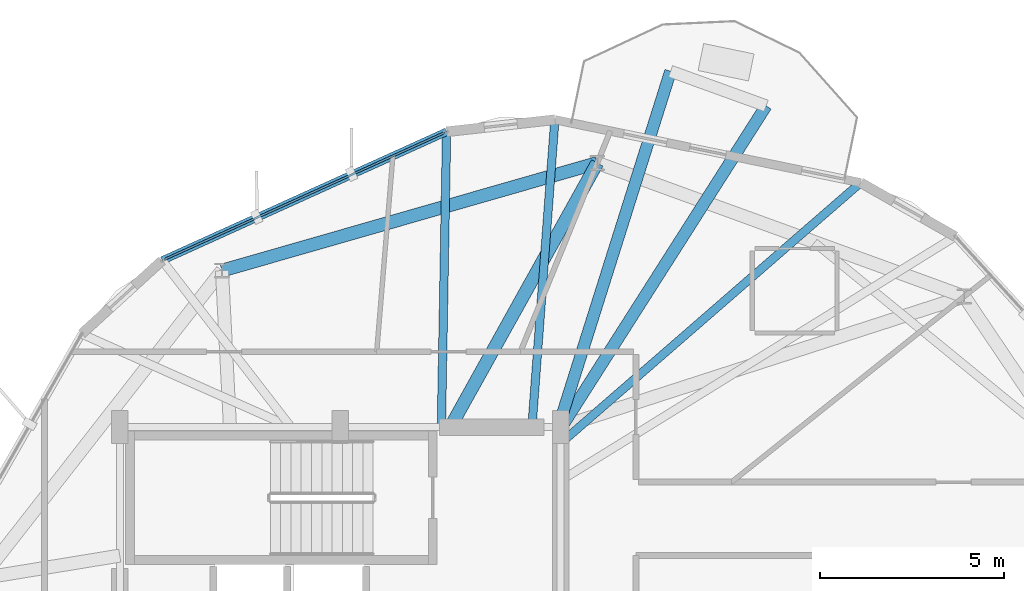
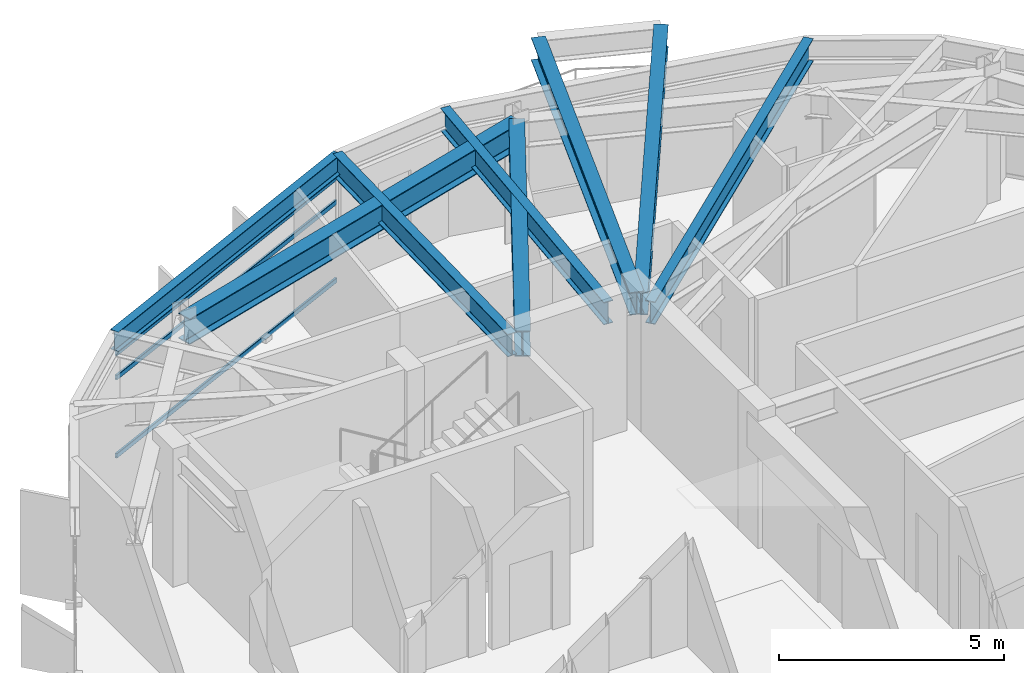
# One storey, part 14 of 23: 8 beams, 3 members, 1 element without a shape of its own.
"""IFC4 building model written with IfcOpenShell, lengths in metres."""

from ifc_helpers import new_model, si_unit, direction, frame, origin, origin_2d, place, context, subcontext, project, spatial, hollow_rectangle, i_section, extrude, material, layer, layer_set, material_profile, profile_set, type_object, element, aggregate, save


model = new_model("IFC4")

# Units and contexts
model_context = context("Model", 3, precision=1e-05, world=origin(), true_north=direction((0.0, 1.0)))
body_context = subcontext(model_context, "Body", "Model", "MODEL_VIEW")
ifc_project = project(units=[si_unit("LENGTHUNIT", "METRE"), si_unit("AREAUNIT", "SQUARE_METRE"), si_unit("VOLUMEUNIT", "CUBIC_METRE"), si_unit("PLANEANGLEUNIT", "RADIAN"), si_unit("MASSUNIT", "GRAM", prefix="KILO")], contexts=[model_context])

# Site, building, storey
site_placement = place(None, origin())
site = spatial("IfcSite", under=ifc_project, at=site_placement, CompositionType="ELEMENT")
building_placement = place(site_placement, origin())
building = spatial("IfcBuilding", under=site, at=building_placement, Name="Soratama Intermodal Tower", CompositionType="ELEMENT")
storey_placement = place(building_placement, frame((0.0, 0.0, 257.5)))
storey = spatial("IfcBuildingStorey", under=building, at=storey_placement, Name="L65", CompositionType="ELEMENT", Elevation=257.5)

# Beams
ifc_material_1 = material(Name="Structural steel ASTM A992 Grade 50", Category="steel")
ifc_material_profile_1 = material_profile(ifc_material_1, i_section(OverallWidth=0.324951171875, OverallDepth=0.615966796875, WebThickness=0.013916015625, FlangeThickness=0.021484375, FilletRadius=0.013916015625, at=origin_2d()), Name="W24X117")
ifc_profile_set_1 = profile_set([ifc_material_profile_1], Name="Structural steel ASTM A992 Grade 50")
beam_type_1 = type_object("IfcBeamType", Name="BM-CANT-W24X117", PredefinedType="BEAM", material=ifc_profile_set_1)
beam_1_placement = place(storey_placement, frame((44.62109375, 34.991943359375, 3.14208984375), z_axis=(0.537201208981, 0.843454125053, 0.0), x_axis=(-0.843454125053, 0.537201208981, 0.0)))
element("IfcBeam", 1, at=beam_1_placement, inside=storey, type_object=beam_type_1, Name="BM-L65-CANT-1-1", PredefinedType="BEAM", context=body_context, shape_type="SweptSolid", body=[
    extrude(i_section(OverallWidth=0.324951171875, OverallDepth=0.615966796875, WebThickness=0.013916015625, FlangeThickness=0.021484375, FilletRadius=0.013916015625, at=origin_2d()), origin(), (0.0, 0.0, 1.0), 10.377685546875),
])
beam_2_placement = place(storey_placement, frame((44.551025390625, 35.0380859375, 3.14208984375), z_axis=(0.300881888912, 0.953661412098, 0.0), x_axis=(-0.953661412098, 0.300881888912, 0.0)))
element("IfcBeam", 2, at=beam_2_placement, inside=storey, type_object=beam_type_1, Name="BM-L65-CANT-1-2", PredefinedType="BEAM", context=body_context, shape_type="SweptSolid", body=[
    extrude(i_section(OverallWidth=0.324951171875, OverallDepth=0.615966796875, WebThickness=0.013916015625, FlangeThickness=0.021484375, FilletRadius=0.013916015625, at=origin_2d()), origin(), (0.0, 0.0, 1.0), 10.11669921875),
])
ifc_material_2 = material(Name="Structural steel ASTM A992 Grade 50", Category="steel")
ifc_material_profile_2 = material_profile(ifc_material_2, i_section(OverallWidth=0.35498046875, OverallDepth=0.695068359375, WebThickness=0.015380859375, FlangeThickness=0.02490234375, FilletRadius=0.01611328125, at=origin_2d()), Name="W27X146")
ifc_profile_set_2 = profile_set([ifc_material_profile_2], Name="Structural steel ASTM A992 Grade 50")
beam_type_2 = type_object("IfcBeamType", Name="BM-RING-W27X146", PredefinedType="BEAM", material=ifc_profile_set_2)
beam_3_placement = place(storey_placement, frame((45.60009765625, 42.18994140625, 3.1025390625), z_axis=(-0.961238292127, -0.275718961532, 0.0), x_axis=(0.275718961532, -0.961238292127, 0.0)))
element("IfcBeam", 3, at=beam_3_placement, inside=storey, type_object=beam_type_2, Name="BM-L65-RING-03", PredefinedType="BEAM", context=body_context, shape_type="SweptSolid", body=[
    extrude(i_section(OverallWidth=0.35498046875, OverallDepth=0.695068359375, WebThickness=0.015380859375, FlangeThickness=0.02490234375, FilletRadius=0.01611328125, at=origin_2d()), origin(), (0.0, 0.0, 1.0), 10.630126953125),
])
beam_4_placement = place(storey_placement, frame((41.60009765625, 35.0, 3.1025390625), z_axis=(0.486161842523, 0.873868790423, 0.0), x_axis=(-0.873868790423, 0.486161842523, 0.0)))
element("IfcBeam", 4, at=beam_4_placement, inside=storey, type_object=beam_type_2, Name="BM-L65-RAD-03", PredefinedType="BEAM", context=body_context, shape_type="SweptSolid", body=[
    extrude(i_section(OverallWidth=0.35498046875, OverallDepth=0.695068359375, WebThickness=0.015380859375, FlangeThickness=0.02490234375, FilletRadius=0.01611328125, at=origin_2d()), origin(), (0.0, 0.0, 1.0), 8.227783203125),
])
ifc_material_3 = material(Name="Structural steel ASTM A992 Grade 50", Category="steel")
ifc_material_profile_3 = material_profile(ifc_material_3, i_section(OverallWidth=0.2099609375, OverallDepth=0.537109375, WebThickness=0.010986328125, FlangeThickness=0.017333984375, FilletRadius=0.012939453125, at=origin_2d()), Name="W21X68")
ifc_profile_set_3 = profile_set([ifc_material_profile_3], Name="Structural steel ASTM A992 Grade 50")
beam_type_3 = type_object("IfcBeamType", Name="BM-SPN-W21X68", PredefinedType="SPANDREL", material=ifc_profile_set_3)
beam_5_placement = place(storey_placement, frame((41.4970703125, 43.041015625, 3.181396484375), z_axis=(-0.910964565873, -0.412484617559, 0.0), x_axis=(0.412484617559, -0.910964565873, 0.0)))
element("IfcBeam", 5, at=beam_5_placement, inside=storey, type_object=beam_type_3, Name="BS-L65-F02", PredefinedType="SPANDREL", context=body_context, shape_type="SweptSolid", body=[
    extrude(i_section(OverallWidth=0.2099609375, OverallDepth=0.537109375, WebThickness=0.010986328125, FlangeThickness=0.017333984375, FilletRadius=0.012939453125, at=origin_2d()), origin(), (0.0, 0.0, 1.0), 8.5),
])
ifc_material_4 = material(Name="Structural steel ASTM A992 Grade 50", Category="steel")
ifc_material_profile_4 = material_profile(ifc_material_4, i_section(OverallWidth=0.22900390625, OverallDepth=0.612060546875, WebThickness=0.011962890625, FlangeThickness=0.01953125, FilletRadius=0.012939453125, at=origin_2d()), Name="W24X84")
ifc_profile_set_4 = profile_set([ifc_material_profile_4], Name="Structural steel ASTM A992 Grade 50")
beam_type_4 = type_object("IfcBeamType", Name="BM-TIE-W24X84", PredefinedType="BEAM", material=ifc_profile_set_4)
beam_6_placement = place(storey_placement, frame((44.6298828125, 34.58203125, 3.14404296875), z_axis=(0.754852580029, 0.655894490313, 0.0), x_axis=(-0.655894490313, 0.754852580029, 0.0)))
element("IfcBeam", 6, at=beam_6_placement, inside=storey, type_object=beam_type_4, Name="BM-L65-TIE0-01", PredefinedType="BEAM", context=body_context, shape_type="SweptSolid", body=[
    extrude(i_section(OverallWidth=0.22900390625, OverallDepth=0.612060546875, WebThickness=0.011962890625, FlangeThickness=0.01953125, FilletRadius=0.012939453125, at=origin_2d()), origin(), (0.0, 0.0, 1.0), 10.78369140625),
])
beam_7_placement = place(storey_placement, frame((43.822998046875, 35.0400390625, 3.14404296875), z_axis=(0.074470246346, 0.997223235995, 0.0), x_axis=(-0.997223235995, 0.074470246346, 0.0)))
element("IfcBeam", 7, at=beam_7_placement, inside=storey, type_object=beam_type_4, Name="BM-L65-TIE1-01", PredefinedType="BEAM", context=body_context, shape_type="SweptSolid", body=[
    extrude(i_section(OverallWidth=0.22900390625, OverallDepth=0.612060546875, WebThickness=0.011962890625, FlangeThickness=0.01953125, FilletRadius=0.012939453125, at=origin_2d()), origin(), (0.0, 0.0, 1.0), 8.353271484375),
])
beam_8_placement = place(storey_placement, frame((41.35595703125, 35.0400390625, 3.14404296875), z_axis=(0.017634264722, 0.999844504264, 0.0), x_axis=(-0.999844504264, 0.017634264722, 0.0)))
element("IfcBeam", 8, at=beam_8_placement, inside=storey, type_object=beam_type_4, Name="BM-L65-TIE0-02", PredefinedType="BEAM", context=body_context, shape_type="SweptSolid", body=[
    extrude(i_section(OverallWidth=0.22900390625, OverallDepth=0.612060546875, WebThickness=0.011962890625, FlangeThickness=0.01953125, FilletRadius=0.012939453125, at=origin_2d()), origin(), (0.0, 0.0, 1.0), 8.002197265625),
])

# Curtain wall, members
ifc_material_5 = material(Name="Double-glazed aluminium curtain wall", Category="aluminium")
ifc_layer = layer(ifc_material_5, 0.159912109375)
ifc_layer_set = layer_set([ifc_layer], Name="Double-glazed aluminium curtain wall")
curtain_wall_type = type_object("IfcCurtainWallType", Name="CW-SYS-5", PredefinedType="NOTDEFINED", material=ifc_layer_set)
curtain_wall_placement = place(storey_placement, origin())
curtain_wall = element("IfcCurtainWall", 9, at=curtain_wall_placement, inside=storey, type_object=curtain_wall_type, Name="L65 Faceted Curtain Wall F02", PredefinedType="NOTDEFINED")
ifc_material_6 = material(Name="Anodised aluminium AA 6063-T6", Category="aluminium")
ifc_material_profile_5 = material_profile(ifc_material_6, hollow_rectangle(XDim=0.06005859375, YDim=0.1298828125, WallThickness=0.0048828125, InnerFilletRadius=0.0048828125, OuterFilletRadius=0.010009765625, at=origin_2d()), Name="CWT130X60X5")
ifc_profile_set_5 = profile_set([ifc_material_profile_5], Name="Anodised aluminium AA 6063-T6")
member_type = type_object("IfcMemberType", Name="TT-CWT-2", PredefinedType="USERDEFINED", material=ifc_profile_set_5)
member_1_placement = place(storey_placement, frame((41.442138671875, 43.016357421875, 0.030029296875), z_axis=(-0.910966160552, -0.412481095724, 0.0), x_axis=(0.412481095724, -0.910966160552, 0.0)))
member_1 = element("IfcMember", 10, at=member_1_placement, type_object=member_type, Name="CW-5 transom 1.1", ObjectType="TRANSOM", PredefinedType="USERDEFINED", context=body_context, shape_type="SweptSolid", body=[
    extrude(hollow_rectangle(XDim=0.06005859375, YDim=0.1298828125, WallThickness=0.0048828125, InnerFilletRadius=0.0048828125, OuterFilletRadius=0.010009765625, at=origin_2d()), origin(), (0.0, 0.0, 1.0), 8.3798828125),
])
member_2_placement = place(storey_placement, frame((41.442138671875, 43.016357421875, 2.14990234375), z_axis=(-0.910966160552, -0.412481095724, 0.0), x_axis=(0.412481095724, -0.910966160552, 0.0)))
member_2 = element("IfcMember", 11, at=member_2_placement, type_object=member_type, Name="CW-5 transom 1.2", ObjectType="TRANSOM", PredefinedType="USERDEFINED", context=body_context, shape_type="SweptSolid", body=[
    extrude(hollow_rectangle(XDim=0.06005859375, YDim=0.1298828125, WallThickness=0.0048828125, InnerFilletRadius=0.0048828125, OuterFilletRadius=0.010009765625, at=origin_2d()), origin(), (0.0, 0.0, 1.0), 8.3798828125),
])
member_3_placement = place(storey_placement, frame((41.442138671875, 43.016357421875, 2.799072265625), z_axis=(-0.910966160552, -0.412481095724, 0.0), x_axis=(0.412481095724, -0.910966160552, 0.0)))
member_3 = element("IfcMember", 12, at=member_3_placement, type_object=member_type, Name="CW-5 transom 1.3", ObjectType="TRANSOM", PredefinedType="USERDEFINED", context=body_context, shape_type="SweptSolid", body=[
    extrude(hollow_rectangle(XDim=0.06005859375, YDim=0.1298828125, WallThickness=0.0048828125, InnerFilletRadius=0.0048828125, OuterFilletRadius=0.010009765625, at=origin_2d()), origin(), (0.0, 0.0, 1.0), 8.3798828125),
])
aggregate(curtain_wall, [member_1, member_2, member_3])

save(model, "model.ifc")
